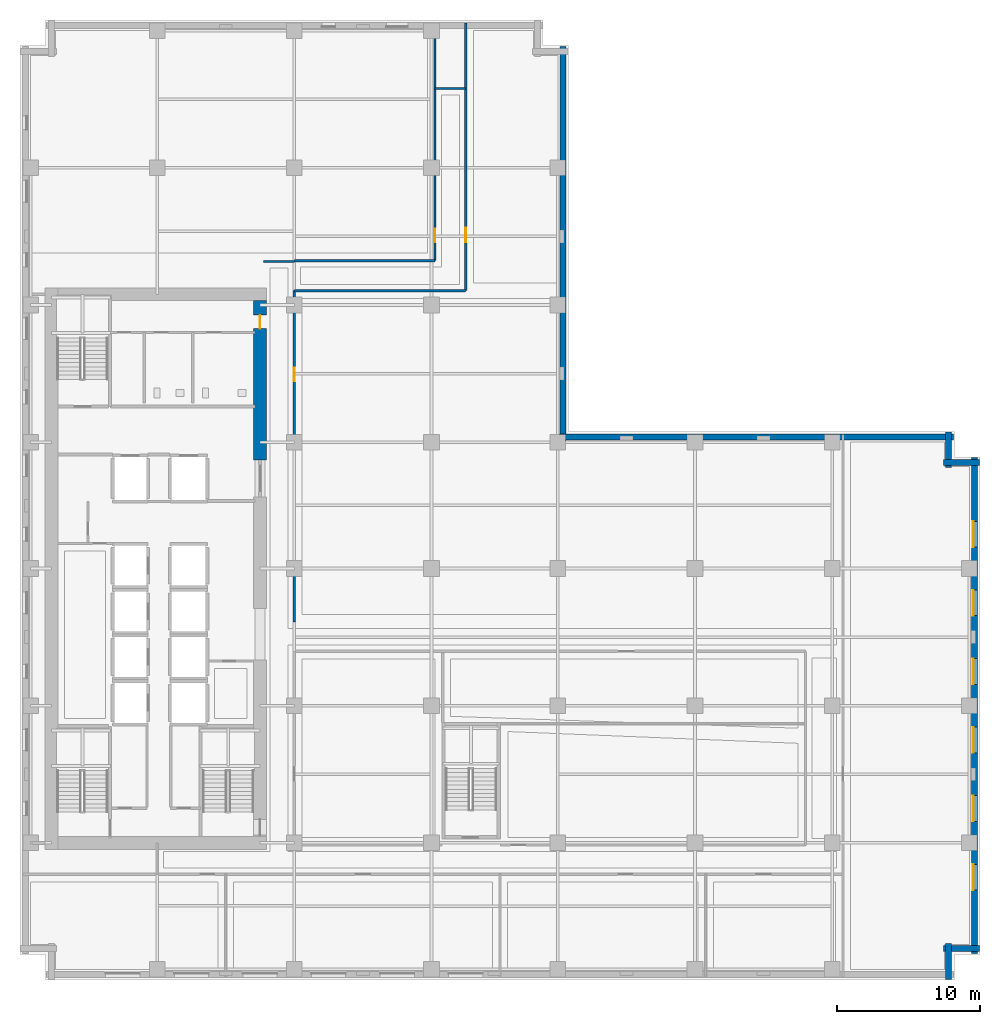
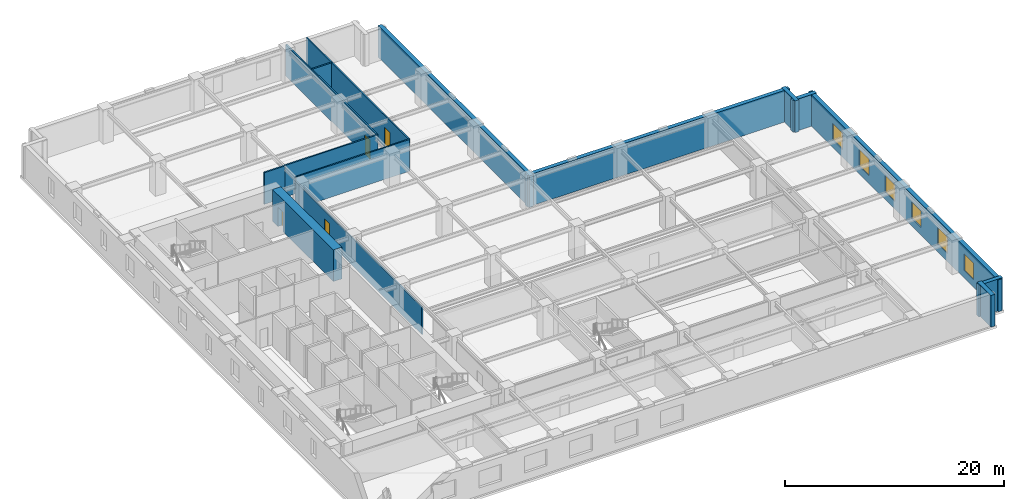
# One storey, part 7 of 13: 15 walls, 6 windows, 4 doors, 10 openings.
"""IFC4 building model written with IfcOpenShell, lengths in metres."""

from ifc_helpers import new_model, si_unit, direction, frame, frame_2d, origin, place, context, subcontext, project, spatial, rectangle, extrude, material, layer, layer_set, type_object, element, fill, save


model = new_model("IFC4")

# Units and contexts
model_context = context("Model", 3, precision=1e-05, world=origin(), true_north=direction((0.0, 1.0)))
body_context = subcontext(model_context, "Body", "Model", "MODEL_VIEW")
ifc_project = project(units=[si_unit("LENGTHUNIT", "METRE"), si_unit("AREAUNIT", "SQUARE_METRE"), si_unit("VOLUMEUNIT", "CUBIC_METRE"), si_unit("PLANEANGLEUNIT", "RADIAN"), si_unit("MASSUNIT", "GRAM", prefix="KILO")], contexts=[model_context])

# Site, building, storey
site_placement = place(None, origin())
site = spatial("IfcSite", under=ifc_project, at=site_placement, CompositionType="ELEMENT")
building_placement = place(site_placement, origin())
building = spatial("IfcBuilding", under=site, at=building_placement, Name="Norrvale University Quadrangle", CompositionType="ELEMENT")
storey_placement = place(building_placement, frame((0.0, 0.0, 81.199951171875)))
storey = spatial("IfcBuildingStorey", under=building, at=storey_placement, Name="L20", CompositionType="ELEMENT", Elevation=81.199951171875)

# Walls
ifc_material_1 = material(Name="Buff Norman Clay Brick Masonry", Category="masonry")
ifc_layer_1 = layer(ifc_material_1, 0.419921875, Name="Buff Norman Clay Brick Masonry")
ifc_layer_set_1 = layer_set([ifc_layer_1], Name="Buff Norman Clay Brick Masonry")
wall_type_1 = type_object("IfcWallType", Name="Wall Buff Brick 420", PredefinedType="SOLIDWALL", material=ifc_layer_set_1)
for number, where, z_axis, x_axis, name in (
    (1, (65.010009765625, 0.0400390625, 0.0), (0.0, 0.0, 1.0), (0.0, 1.0, 0.0), "Exterior Brick Facade Wall L20-02.1"),
    (2, (64.659912109375, 2.18994140625, 0.0), (0.0, 0.0, 1.0), (1.0, 0.0, 0.0), "Exterior Brick Facade Wall L20-03.1"),
):
    element("IfcWall", number, at=place(storey_placement, frame(where, z_axis=z_axis, x_axis=x_axis)), inside=storey, type_object=wall_type_1, Name=name, PredefinedType="SOLIDWALL", context=body_context, shape_type="SweptSolid", body=[
        extrude(rectangle(XDim=2.5, YDim=0.419921875, at=frame_2d((1.25, 0.0))), origin(), (0.0, 0.0, 1.0), 3.5400390625),
    ])

# Wall, openings, windows
wall_1_placement = place(storey_placement, frame((66.81005859375, 1.840087890625, 0.0), z_axis=(0.0, 0.0, 1.0), x_axis=(0.0, 1.0, 0.0)))
wall_1 = element("IfcWall", 3, at=wall_1_placement, inside=storey, type_object=wall_type_1, Name="Exterior Brick Facade Wall L20-04.1", PredefinedType="SOLIDWALL", context=body_context, shape_type="SweptSolid", body=[
    extrude(rectangle(XDim=34.719970703125, YDim=0.419921875, at=frame_2d((17.35986328125, 0.0))), origin(), (0.0, 0.0, 1.0), 3.5400390625),
])
opening_1_placement = place(wall_1_placement, frame((4.4599609375, 0.0, 0.85009765625)))
opening_1 = element("IfcOpeningElement", 4, at=opening_1_placement, cuts=wall_1, Name="Opening W01", PredefinedType="OPENING", context=body_context, shape_type="SweptSolid", body=[
    extrude(rectangle(XDim=1.800048828125, YDim=1.85009765625, at=frame_2d((0.89990234375, 0.925048828125))), frame((0.0, 0.221923828125, 0.0), z_axis=(0.0, -1.0, 0.0), x_axis=(1.0, 0.0, 0.0)), (0.0, 0.0, 1.0), 0.44384765625),
])
opening_2_placement = place(wall_1_placement, frame((9.260009765625, 0.0, 0.85009765625)))
opening_2 = element("IfcOpeningElement", 5, at=opening_2_placement, cuts=wall_1, Name="Opening W01", PredefinedType="OPENING", context=body_context, shape_type="SweptSolid", body=[
    extrude(rectangle(XDim=1.800048828125, YDim=1.85009765625, at=frame_2d((0.89990234375, 0.925048828125))), frame((0.0, 0.221923828125, 0.0), z_axis=(0.0, -1.0, 0.0), x_axis=(1.0, 0.0, 0.0)), (0.0, 0.0, 1.0), 0.44384765625),
])
opening_3_placement = place(wall_1_placement, frame((14.06005859375, 0.0, 0.85009765625)))
opening_3 = element("IfcOpeningElement", 6, at=opening_3_placement, cuts=wall_1, Name="Opening W01", PredefinedType="OPENING", context=body_context, shape_type="SweptSolid", body=[
    extrude(rectangle(XDim=1.800048828125, YDim=1.85009765625, at=frame_2d((0.89990234375, 0.925048828125))), frame((0.0, 0.221923828125, 0.0), z_axis=(0.0, -1.0, 0.0), x_axis=(1.0, 0.0, 0.0)), (0.0, 0.0, 1.0), 0.44384765625),
])
opening_4_placement = place(wall_1_placement, frame((18.860107421875, 0.0, 0.85009765625)))
opening_4 = element("IfcOpeningElement", 7, at=opening_4_placement, cuts=wall_1, Name="Opening W01", PredefinedType="OPENING", context=body_context, shape_type="SweptSolid", body=[
    extrude(rectangle(XDim=1.800048828125, YDim=1.85009765625, at=frame_2d((0.89990234375, 0.925048828125))), frame((0.0, 0.221923828125, 0.0), z_axis=(0.0, -1.0, 0.0), x_axis=(1.0, 0.0, 0.0)), (0.0, 0.0, 1.0), 0.44384765625),
])
opening_5_placement = place(wall_1_placement, frame((23.659912109375, 0.0, 0.85009765625)))
opening_5 = element("IfcOpeningElement", 8, at=opening_5_placement, cuts=wall_1, Name="Opening W01", PredefinedType="OPENING", context=body_context, shape_type="SweptSolid", body=[
    extrude(rectangle(XDim=1.800048828125, YDim=1.85009765625, at=frame_2d((0.89990234375, 0.925048828125))), frame((0.0, 0.221923828125, 0.0), z_axis=(0.0, -1.0, 0.0), x_axis=(1.0, 0.0, 0.0)), (0.0, 0.0, 1.0), 0.44384765625),
])
opening_6_placement = place(wall_1_placement, frame((28.4599609375, 0.0, 0.85009765625)))
opening_6 = element("IfcOpeningElement", 9, at=opening_6_placement, cuts=wall_1, Name="Opening W01", PredefinedType="OPENING", context=body_context, shape_type="SweptSolid", body=[
    extrude(rectangle(XDim=1.800048828125, YDim=1.85009765625, at=frame_2d((0.89990234375, 0.925048828125))), frame((0.0, 0.221923828125, 0.0), z_axis=(0.0, -1.0, 0.0), x_axis=(1.0, 0.0, 0.0)), (0.0, 0.0, 1.0), 0.44384765625),
])
ifc_material_2 = material(Name="Triple Low-E Argon Glazing", Category="glass")
window_type = type_object("IfcWindowType", Name="Window Academic 1800x2300", PartitioningType="DOUBLE_PANEL_VERTICAL", PredefinedType="WINDOW", material=ifc_material_2)
window_1_placement = place(opening_1_placement, origin())
window_1 = element("IfcWindow", 10, at=window_1_placement, inside=storey, type_object=window_type, Name="Window Academic 1800x2300 WIN-L20-E04-1-01", OverallHeight=1.85009765625, OverallWidth=1.800048828125, PartitioningType="DOUBLE_PANEL_VERTICAL", PredefinedType="WINDOW", context=body_context, shape_type="SweptSolid", body=[
    extrude(rectangle(XDim=1.800048828125, YDim=1.85009765625, at=frame_2d((0.89990234375, 0.925048828125))), frame((0.0, 0.110107421875, 0.0), z_axis=(0.0, -1.0, 0.0), x_axis=(1.0, 0.0, 0.0)), (0.0, 0.0, 1.0), 0.06005859375),
])
fill(opening_1, window_1)
window_2_placement = place(opening_2_placement, origin())
window_2 = element("IfcWindow", 11, at=window_2_placement, inside=storey, type_object=window_type, Name="Window Academic 1800x2300 WIN-L20-E04-1-02", OverallHeight=1.85009765625, OverallWidth=1.800048828125, PartitioningType="DOUBLE_PANEL_VERTICAL", PredefinedType="WINDOW", context=body_context, shape_type="SweptSolid", body=[
    extrude(rectangle(XDim=1.800048828125, YDim=1.85009765625, at=frame_2d((0.89990234375, 0.925048828125))), frame((0.0, 0.110107421875, 0.0), z_axis=(0.0, -1.0, 0.0), x_axis=(1.0, 0.0, 0.0)), (0.0, 0.0, 1.0), 0.06005859375),
])
fill(opening_2, window_2)
window_3_placement = place(opening_3_placement, origin())
window_3 = element("IfcWindow", 12, at=window_3_placement, inside=storey, type_object=window_type, Name="Window Academic 1800x2300 WIN-L20-E04-1-03", OverallHeight=1.85009765625, OverallWidth=1.800048828125, PartitioningType="DOUBLE_PANEL_VERTICAL", PredefinedType="WINDOW", context=body_context, shape_type="SweptSolid", body=[
    extrude(rectangle(XDim=1.800048828125, YDim=1.85009765625, at=frame_2d((0.89990234375, 0.925048828125))), frame((0.0, 0.110107421875, 0.0), z_axis=(0.0, -1.0, 0.0), x_axis=(1.0, 0.0, 0.0)), (0.0, 0.0, 1.0), 0.06005859375),
])
fill(opening_3, window_3)
window_4_placement = place(opening_4_placement, origin())
window_4 = element("IfcWindow", 13, at=window_4_placement, inside=storey, type_object=window_type, Name="Window Academic 1800x2300 WIN-L20-E04-1-04", OverallHeight=1.85009765625, OverallWidth=1.800048828125, PartitioningType="DOUBLE_PANEL_VERTICAL", PredefinedType="WINDOW", context=body_context, shape_type="SweptSolid", body=[
    extrude(rectangle(XDim=1.800048828125, YDim=1.85009765625, at=frame_2d((0.89990234375, 0.925048828125))), frame((0.0, 0.110107421875, 0.0), z_axis=(0.0, -1.0, 0.0), x_axis=(1.0, 0.0, 0.0)), (0.0, 0.0, 1.0), 0.06005859375),
])
fill(opening_4, window_4)
window_5_placement = place(opening_5_placement, origin())
window_5 = element("IfcWindow", 14, at=window_5_placement, inside=storey, type_object=window_type, Name="Window Academic 1800x2300 WIN-L20-E04-1-05", OverallHeight=1.85009765625, OverallWidth=1.800048828125, PartitioningType="DOUBLE_PANEL_VERTICAL", PredefinedType="WINDOW", context=body_context, shape_type="SweptSolid", body=[
    extrude(rectangle(XDim=1.800048828125, YDim=1.85009765625, at=frame_2d((0.89990234375, 0.925048828125))), frame((0.0, 0.110107421875, 0.0), z_axis=(0.0, -1.0, 0.0), x_axis=(1.0, 0.0, 0.0)), (0.0, 0.0, 1.0), 0.06005859375),
])
fill(opening_5, window_5)
window_6_placement = place(opening_6_placement, origin())
window_6 = element("IfcWindow", 15, at=window_6_placement, inside=storey, type_object=window_type, Name="Window Academic 1800x2300 WIN-L20-E04-1-06", OverallHeight=1.85009765625, OverallWidth=1.800048828125, PartitioningType="DOUBLE_PANEL_VERTICAL", PredefinedType="WINDOW", context=body_context, shape_type="SweptSolid", body=[
    extrude(rectangle(XDim=1.800048828125, YDim=1.85009765625, at=frame_2d((0.89990234375, 0.925048828125))), frame((0.0, 0.110107421875, 0.0), z_axis=(0.0, -1.0, 0.0), x_axis=(1.0, 0.0, 0.0)), (0.0, 0.0, 1.0), 0.06005859375),
])
fill(opening_6, window_6)

# Walls
for number, where, z_axis, x_axis, name in (
    (16, (67.159912109375, 36.2099609375, 0.0), (0.0, 0.0, 1.0), (-1.0, 0.0, 0.0), "Exterior Brick Facade Wall L20-05.1"),
    (17, (65.010009765625, 35.860107421875, 0.0), (0.0, 0.0, 1.0), (0.0, 1.0, 0.0), "Exterior Brick Facade Wall L20-06.1"),
):
    element("IfcWall", number, at=place(storey_placement, frame(where, z_axis=z_axis, x_axis=x_axis)), inside=storey, type_object=wall_type_1, Name=name, PredefinedType="SOLIDWALL", context=body_context, shape_type="SweptSolid", body=[
        extrude(rectangle(XDim=2.5, YDim=0.419921875, at=frame_2d((1.25, 0.0))), origin(), (0.0, 0.0, 1.0), 3.5400390625),
    ])
for number, where, z_axis, x_axis, name in (
    (18, (65.360107421875, 38.010009765625, 0.0), (0.0, 0.0, 1.0), (-1.0, 0.0, 0.0), "Exterior Brick Facade Wall L20-07.1"),
    (19, (38.010009765625, 37.659912109375, 0.0), (0.0, 0.0, 1.0), (0.0, 1.0, 0.0), "Exterior Brick Facade Wall L20-08.1"),
):
    element("IfcWall", number, at=place(storey_placement, frame(where, z_axis=z_axis, x_axis=x_axis)), inside=storey, type_object=wall_type_1, Name=name, PredefinedType="SOLIDWALL", context=body_context, shape_type="SweptSolid", body=[
        extrude(rectangle(XDim=27.7001953125, YDim=0.419921875, at=frame_2d((13.85009765625, 0.0))), origin(), (0.0, 0.0, 1.0), 3.5400390625),
    ])

# Wall, opening, door
ifc_material_3 = material(Name="Concrete C80/95", Category="concrete")
ifc_layer_2 = layer(ifc_material_3, 0.89990234375, Name="Concrete C80/95")
ifc_layer_set_2 = layer_set([ifc_layer_2], Name="Concrete C80/95")
wall_type_2 = type_object("IfcWallType", Name="Wall Core 900", PredefinedType="SHEAR", material=ifc_layer_set_2)
wall_2_placement = place(storey_placement, frame((16.800048828125, 36.39990234375, 0.0), z_axis=(0.0, 0.0, 1.0), x_axis=(0.0, 1.0, 0.0)))
wall_2 = element("IfcWall", 20, at=wall_2_placement, inside=storey, type_object=wall_type_2, Name="Tower Core Shear Wall L20-E3", PredefinedType="SHEAR", context=body_context, shape_type="SweptSolid", body=[
    extrude(rectangle(XDim=11.150146484375, YDim=0.89990234375, at=frame_2d((5.5751953125, 0.0))), origin(), (0.0, 0.0, 1.0), 3.5400390625),
])
opening_7_placement = place(wall_2_placement, frame((9.199951171875, 0.0, 0.0)))
opening_7 = element("IfcOpeningElement", 21, at=opening_7_placement, cuts=wall_2, Name="Opening D07", PredefinedType="OPENING", context=body_context, shape_type="SweptSolid", body=[
    extrude(rectangle(XDim=0.949951171875, YDim=2.14990234375, at=frame_2d((0.47509765625, 1.074951171875))), frame((0.0, 0.4619140625, 0.0), z_axis=(0.0, -1.0, 0.0), x_axis=(1.0, 0.0, 0.0)), (0.0, 0.0, 1.0), 0.923828125),
])
ifc_material_4 = material(Name="Solid-Core Maple Door", Category="wood")
door_type_1 = type_object("IfcDoorType", Name="Door Office 950x2150", OperationType="NOTDEFINED", PredefinedType="DOOR", material=ifc_material_4)
door_1_placement = place(opening_7_placement, origin())
door_1 = element("IfcDoor", 22, at=door_1_placement, inside=storey, type_object=door_type_1, Name="Door Office 950x2150 DR-L20-NECORR", OperationType="SINGLE_SWING_LEFT", OverallHeight=2.14990234375, OverallWidth=0.949951171875, PredefinedType="DOOR", context=body_context, shape_type="SweptSolid", body=[
    extrude(rectangle(XDim=0.949951171875, YDim=2.14990234375, at=frame_2d((0.47509765625, 1.074951171875))), frame((0.0, 0.02490234375, 0.0), z_axis=(0.0, -1.0, 0.0), x_axis=(1.0, 0.0, 0.0)), (0.0, 0.0, 1.0), 0.050048828125),
])
fill(opening_7, door_1)

# Wall
ifc_material_5 = material(Name="Fire-Rated Gypsum Stud Partition")
ifc_layer_3 = layer(ifc_material_5, 0.14990234375, Name="Fire-Rated Gypsum Stud Partition")
ifc_layer_set_3 = layer_set([ifc_layer_3], Name="Fire-Rated Gypsum Stud Partition")
wall_type_3 = type_object("IfcWallType", Name="Wall Gypsum Corridor 150", PredefinedType="PARTITIONING", material=ifc_layer_set_3)
wall_3_placement = place(storey_placement, frame((17.050048828125, 50.300048828125, 0.0), z_axis=(0.0, 0.0, 1.0), x_axis=(1.0, 0.0, 0.0)))
element("IfcWall", 23, at=wall_3_placement, inside=storey, type_object=wall_type_3, Name="Interior Partition WL-L20-CN-END", PredefinedType="PARTITIONING", context=body_context, shape_type="SweptSolid", body=[
    extrude(rectangle(XDim=2.14990234375, YDim=0.14990234375, at=frame_2d((1.074951171875, 0.0))), origin(), (0.0, 0.0, 1.0), 3.5400390625),
])

# Wall, opening, door
wall_4_placement = place(storey_placement, frame((19.199951171875, 25.050048828125, 0.0), z_axis=(0.0, 0.0, 1.0), x_axis=(0.0, 1.0, 0.0)))
wall_4 = element("IfcWall", 24, at=wall_4_placement, inside=storey, type_object=wall_type_3, Name="Interior Partition WL-L20-MNECW", PredefinedType="PARTITIONING", context=body_context, shape_type="SweptSolid", body=[
    extrude(rectangle(XDim=23.199951171875, YDim=0.14990234375, at=frame_2d((11.60009765625, 0.0))), origin(), (0.0, 0.0, 1.0), 3.071044921875),
])
opening_8_placement = place(wall_4_placement, frame((16.85009765625, 0.0, 0.0)))
opening_8 = element("IfcOpeningElement", 25, at=opening_8_placement, cuts=wall_4, Name="Opening D07", PredefinedType="OPENING", context=body_context, shape_type="SweptSolid", body=[
    extrude(rectangle(XDim=0.949951171875, YDim=2.14990234375, at=frame_2d((0.47509765625, 1.074951171875))), frame((0.0, 0.0869140625, 0.0), z_axis=(0.0, -1.0, 0.0), x_axis=(1.0, 0.0, 0.0)), (0.0, 0.0, 1.0), 0.173828125),
])
door_2_placement = place(opening_8_placement, origin())
door_2 = element("IfcDoor", 26, at=door_2_placement, inside=storey, type_object=door_type_1, Name="Door Office 950x2150 DR-L20-MNE01", OperationType="SINGLE_SWING_RIGHT", OverallHeight=2.14990234375, OverallWidth=0.949951171875, PredefinedType="DOOR", context=body_context, shape_type="SweptSolid", body=[
    extrude(rectangle(XDim=0.949951171875, YDim=2.14990234375, at=frame_2d((0.47509765625, 1.074951171875))), frame((0.0, 0.02490234375, 0.0), z_axis=(0.0, -1.0, 0.0), x_axis=(1.0, 0.0, 0.0)), (0.0, 0.0, 1.0), 0.050048828125),
])
fill(opening_8, door_2)

# Walls
wall_5_placement = place(storey_placement, frame((19.199951171875, 48.25, 0.0), z_axis=(0.0, 0.0, 1.0), x_axis=(1.0, 0.0, 0.0)))
element("IfcWall", 27, at=wall_5_placement, inside=storey, type_object=wall_type_3, Name="Interior Partition WL-L20-JOGS", PredefinedType="PARTITIONING", context=body_context, shape_type="SweptSolid", body=[
    extrude(rectangle(XDim=12.0, YDim=0.14990234375, at=frame_2d((6.0, 0.0))), origin(), (0.0, 0.0, 1.0), 3.5400390625),
])
wall_6_placement = place(storey_placement, frame((19.199951171875, 50.35009765625, 0.0), z_axis=(0.0, 0.0, 1.0), x_axis=(1.0, 0.0, 0.0)))
element("IfcWall", 28, at=wall_6_placement, inside=storey, type_object=wall_type_3, Name="Interior Partition WL-L20-JOGN", PredefinedType="PARTITIONING", context=body_context, shape_type="SweptSolid", body=[
    extrude(rectangle(XDim=9.85009765625, YDim=0.14990234375, at=frame_2d((4.925048828125, 0.0))), origin(), (0.0, 0.0, 1.0), 3.5400390625),
])
wall_7_placement = place(storey_placement, frame((29.050048828125, 62.39990234375, 0.0), z_axis=(0.0, 0.0, 1.0), x_axis=(1.0, 0.0, 0.0)))
element("IfcWall", 29, at=wall_7_placement, inside=storey, type_object=wall_type_3, Name="Interior Partition WL-L20-JOGEND", PredefinedType="PARTITIONING", context=body_context, shape_type="SweptSolid", body=[
    extrude(rectangle(XDim=2.14990234375, YDim=0.14990234375, at=frame_2d((1.074951171875, 0.0))), origin(), (0.0, 0.0, 1.0), 3.5400390625),
])

# Wall, opening, door
wall_8_placement = place(storey_placement, frame((31.199951171875, 48.25, 0.0), z_axis=(0.0, 0.0, 1.0), x_axis=(0.0, 1.0, 0.0)))
wall_8 = element("IfcWall", 30, at=wall_8_placement, inside=storey, type_object=wall_type_3, Name="Interior Partition WL-L20-NECW", PredefinedType="PARTITIONING", context=body_context, shape_type="SweptSolid", body=[
    extrude(rectangle(XDim=18.72998046875, YDim=0.14990234375, at=frame_2d((9.364990234375, 0.0))), origin(), (0.0, 0.0, 1.0), 3.5400390625),
])
opening_9_placement = place(wall_8_placement, frame((3.39990234375, 0.0, 0.0)))
opening_9 = element("IfcOpeningElement", 31, at=opening_9_placement, cuts=wall_8, Name="Opening D04", PredefinedType="OPENING", context=body_context, shape_type="SweptSolid", body=[
    extrude(rectangle(XDim=1.0, YDim=2.199951171875, at=frame_2d((0.5, 1.10009765625))), frame((0.0, 0.0869140625, 0.0), z_axis=(0.0, -1.0, 0.0), x_axis=(1.0, 0.0, 0.0)), (0.0, 0.0, 1.0), 0.173828125),
])
ifc_material_6 = material(Name="Solid-Core Oak Fire Door", Category="wood")
door_type_2 = type_object("IfcDoorType", Name="Door Corridor 1000x2200", OperationType="NOTDEFINED", PredefinedType="DOOR", material=ifc_material_6)
door_3_placement = place(opening_9_placement, origin())
door_3 = element("IfcDoor", 32, at=door_3_placement, inside=storey, type_object=door_type_2, Name="Door Corridor 1000x2200 DR-L20-NE01", OperationType="SINGLE_SWING_RIGHT", OverallHeight=2.199951171875, OverallWidth=1.0, PredefinedType="DOOR", context=body_context, shape_type="SweptSolid", body=[
    extrude(rectangle(XDim=1.0, YDim=2.199951171875, at=frame_2d((0.5, 1.10009765625))), frame((0.0, 0.02490234375, 0.0), z_axis=(0.0, -1.0, 0.0), x_axis=(1.0, 0.0, 0.0)), (0.0, 0.0, 1.0), 0.050048828125),
])
fill(opening_9, door_3)

wall_9_placement = place(storey_placement, frame((29.050048828125, 50.35009765625, 0.0), z_axis=(0.0, 0.0, 1.0), x_axis=(0.0, 1.0, 0.0)))
wall_9 = element("IfcWall", 33, at=wall_9_placement, inside=storey, type_object=wall_type_3, Name="Interior Partition WL-L20-NWCW", PredefinedType="PARTITIONING", context=body_context, shape_type="SweptSolid", body=[
    extrude(rectangle(XDim=16.6298828125, YDim=0.14990234375, at=frame_2d((8.31494140625, 0.0))), origin(), (0.0, 0.0, 1.0), 3.5400390625),
])
opening_10_placement = place(wall_9_placement, frame((1.300048828125, 0.0, 0.0)))
opening_10 = element("IfcOpeningElement", 34, at=opening_10_placement, cuts=wall_9, Name="Opening D07", PredefinedType="OPENING", context=body_context, shape_type="SweptSolid", body=[
    extrude(rectangle(XDim=0.949951171875, YDim=2.14990234375, at=frame_2d((0.47509765625, 1.074951171875))), frame((0.0, 0.0869140625, 0.0), z_axis=(0.0, -1.0, 0.0), x_axis=(1.0, 0.0, 0.0)), (0.0, 0.0, 1.0), 0.173828125),
])
door_4_placement = place(opening_10_placement, origin())
door_4 = element("IfcDoor", 35, at=door_4_placement, inside=storey, type_object=door_type_1, Name="Door Office 950x2150 DR-L20-NW01", OperationType="SINGLE_SWING_RIGHT", OverallHeight=2.14990234375, OverallWidth=0.949951171875, PredefinedType="DOOR", context=body_context, shape_type="SweptSolid", body=[
    extrude(rectangle(XDim=0.949951171875, YDim=2.14990234375, at=frame_2d((0.47509765625, 1.074951171875))), frame((0.0, 0.02490234375, 0.0), z_axis=(0.0, -1.0, 0.0), x_axis=(1.0, 0.0, 0.0)), (0.0, 0.0, 1.0), 0.050048828125),
])
fill(opening_10, door_4)

save(model, "model.ifc")
